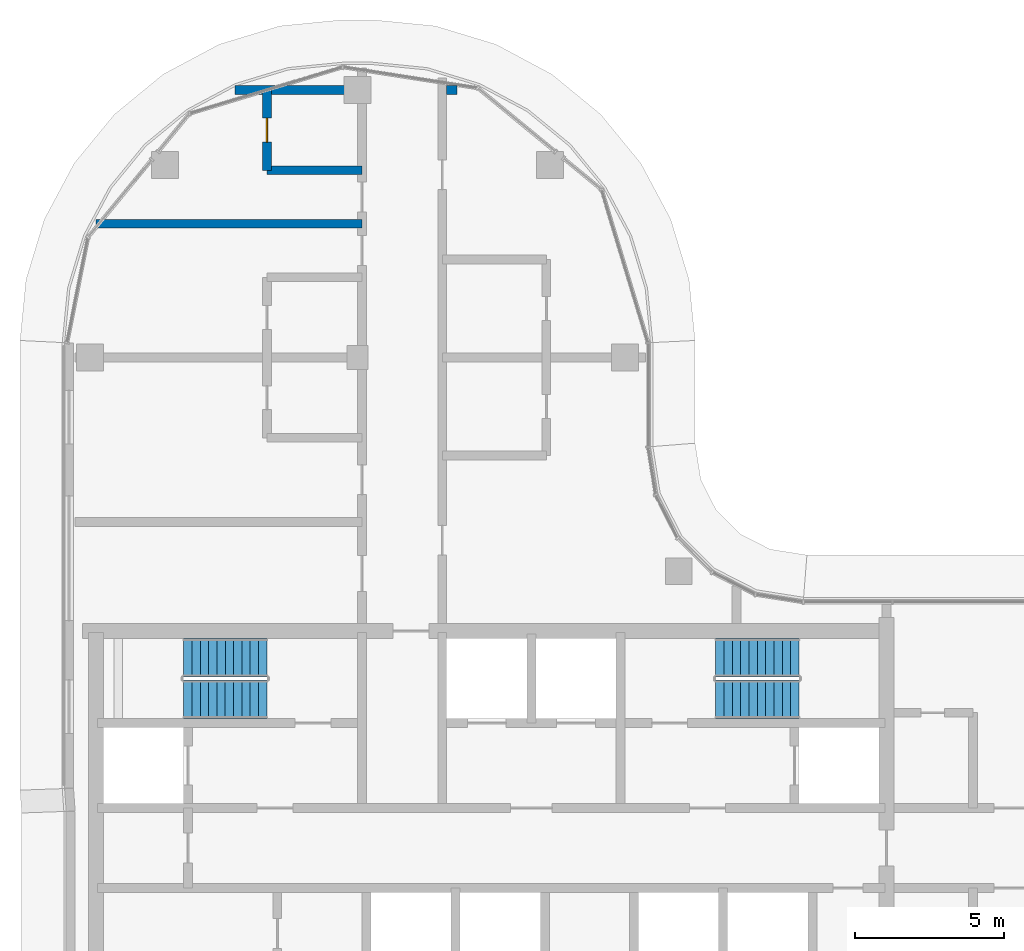
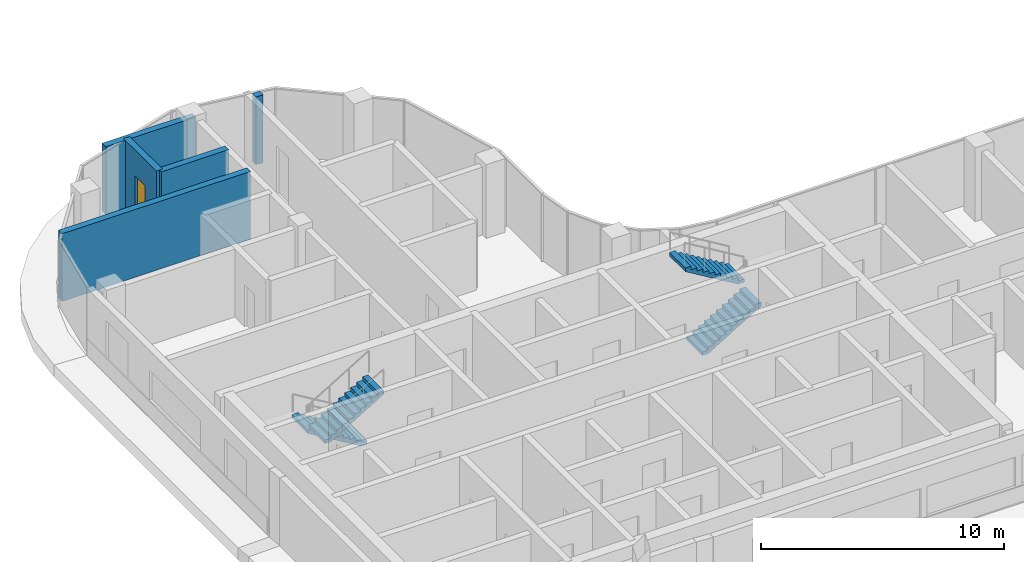
# One storey, part 16 of 22: 5 walls, 4 stair flights, 1 door, 1 opening, 2 elements without a shape of their own.
"""IFC4 building model written with IfcOpenShell, lengths in metres."""

from ifc_helpers import new_model, si_unit, direction, frame, frame_2d, origin, place, context, subcontext, project, spatial, rectangle, extrude, triangles, source, transform, mapped, material, layer, layer_set, type_object, element, fill, aggregate, save


model = new_model("IFC4")

# Units and contexts
model_context = context("Model", 3, precision=1e-05, world=origin(), true_north=direction((0.0, 1.0)))
body_context = subcontext(model_context, "Body", "Model", "MODEL_VIEW")
ifc_project = project(units=[si_unit("LENGTHUNIT", "METRE"), si_unit("AREAUNIT", "SQUARE_METRE"), si_unit("VOLUMEUNIT", "CUBIC_METRE"), si_unit("PLANEANGLEUNIT", "RADIAN"), si_unit("MASSUNIT", "GRAM", prefix="KILO")], contexts=[model_context])

# Site, building, storey
site_placement = place(None, origin())
site = spatial("IfcSite", under=ifc_project, at=site_placement, CompositionType="ELEMENT")
building_placement = place(site_placement, origin())
building = spatial("IfcBuilding", under=site, at=building_placement, Name="Ogive Portal Towers", CompositionType="ELEMENT")
storey_placement = place(building_placement, frame((0.0, 0.0, 206.89990234375)))
storey = spatial("IfcBuildingStorey", under=building, at=storey_placement, Name="L51", CompositionType="ELEMENT", Elevation=206.89990234375)

# Walls
ifc_material_1 = material(Name="Gypsum board partition on steel studs", Category="steel")
ifc_layer = layer(ifc_material_1, 0.300048828125)
ifc_layer_set = layer_set([ifc_layer], Name="WT-PART-300-EI 60")
wall_type = type_object("IfcWallType", Name="WT-PART-300-EI 60", PredefinedType="PARTITIONING", material=ifc_layer_set)
wall_1_placement = place(storey_placement, frame((31.705078125, 53.0, 0.0), z_axis=(0.0, 0.0, 1.0), x_axis=(1.0, 0.0, 0.0)))
element("IfcWall", 1, at=wall_1_placement, inside=storey, type_object=wall_type, Name="Wall L51:w019", PredefinedType="PARTITIONING", context=body_context, shape_type="SweptSolid", body=[
    extrude(rectangle(XDim=8.94482421875, YDim=0.300048828125, at=frame_2d((4.472412109375, 0.0))), origin(), (0.0, 0.0, 1.0), 3.400146484375),
])
wall_2_placement = place(storey_placement, frame((37.449951171875, 54.800048828125, 0.0), z_axis=(0.0, 0.0, 1.0), x_axis=(1.0, 0.0, 0.0)))
element("IfcWall", 2, at=wall_2_placement, inside=storey, type_object=wall_type, Name="Wall L51:w020", PredefinedType="PARTITIONING", context=body_context, shape_type="SweptSolid", body=[
    extrude(rectangle(XDim=3.199951171875, YDim=0.300048828125, at=frame_2d((1.60009765625, 0.0))), origin(), (0.0, 0.0, 1.0), 3.400146484375),
])
wall_3_placement = place(storey_placement, frame((36.375, 57.5, 0.0), z_axis=(0.0, 0.0, 1.0), x_axis=(1.0, 0.0, 0.0)))
element("IfcWall", 3, at=wall_3_placement, inside=storey, type_object=wall_type, Name="Wall L51:w021", PredefinedType="PARTITIONING", context=body_context, shape_type="SweptSolid", body=[
    extrude(rectangle(XDim=4.27490234375, YDim=0.300048828125, at=frame_2d((2.137451171875, 0.0))), origin(), (0.0, 0.0, 1.0), 3.400146484375),
])
wall_4_placement = place(storey_placement, frame((43.498046875, 57.5, 0.0), z_axis=(0.0, 0.0, 1.0), x_axis=(1.0, 0.0, 0.0)))
element("IfcWall", 4, at=wall_4_placement, inside=storey, type_object=wall_type, Name="Wall L51:w022", PredefinedType="PARTITIONING", context=body_context, shape_type="SweptSolid", body=[
    extrude(rectangle(XDim=0.346923828125, YDim=0.300048828125, at=frame_2d((0.17333984375, 0.0))), origin(), (0.0, 0.0, 1.0), 3.400146484375),
])

# Wall, opening, door
wall_5_placement = place(storey_placement, frame((37.449951171875, 54.800048828125, 0.0), z_axis=(0.0, 0.0, 1.0), x_axis=(0.0, 1.0, 0.0)))
wall_5 = element("IfcWall", 5, at=wall_5_placement, inside=storey, type_object=wall_type, Name="Wall L51:w024", PredefinedType="PARTITIONING", context=body_context, shape_type="SweptSolid", body=[
    extrude(rectangle(XDim=2.699951171875, YDim=0.300048828125, at=frame_2d((1.35009765625, 0.0))), origin(), (0.0, 0.0, 1.0), 3.400146484375),
])
opening_placement = place(wall_5_placement, frame((0.949951171875, 0.0, 0.0)))
opening = element("IfcOpeningElement", 6, at=opening_placement, cuts=wall_5, Name="Opening D23-054", PredefinedType="OPENING", context=body_context, shape_type="SweptSolid", body=[
    extrude(rectangle(XDim=0.800048828125, YDim=2.10009765625, at=frame_2d((0.39990234375, 1.050048828125))), frame((0.0, 0.16015625, 0.0), z_axis=(0.0, -1.0, 0.0), x_axis=(1.0, 0.0, 0.0)), (0.0, 0.0, 1.0), 0.320068359375),
])
ifc_material_2 = material(Name="Steel fire door", Category="steel")
door_type = type_object("IfcDoorType", Name="DT-BATH-800x2100-FD60S", OperationType="SINGLE_SWING_LEFT", PredefinedType="DOOR", material=ifc_material_2)
door_placement = place(opening_placement, origin())
door = element("IfcDoor", 7, at=door_placement, inside=storey, type_object=door_type, Name="Door D23-054", OperationType="SINGLE_SWING_LEFT", OverallHeight=2.10009765625, OverallWidth=0.800048828125, PredefinedType="DOOR", context=body_context, shape_type="SweptSolid", body=[
    extrude(rectangle(XDim=0.800048828125, YDim=2.10009765625, at=frame_2d((0.39990234375, 1.050048828125))), frame((0.0, 0.02490234375, 0.0), z_axis=(0.0, -1.0, 0.0), x_axis=(1.0, 0.0, 0.0)), (0.0, 0.0, 1.0), 0.050048828125),
])
fill(opening, door)

# Stair, stair flights
ifc_material_3 = material(Name="Concrete C40/50", Category="concrete")
stair_type = type_object("IfcStairType", Name="INT-STAIR", PredefinedType="HALF_TURN_STAIR", material=ifc_material_3)
stair_1_placement = place(storey_placement, origin())
stair_1 = element("IfcStair", 8, at=stair_1_placement, inside=storey, type_object=stair_type, Name="L51 Exit Stair ST-A1", PredefinedType="HALF_TURN_STAIR")
stair_flight_type = type_object("IfcStairFlightType", Name="INT-FLIGHT", PredefinedType="STRAIGHT", material=ifc_material_3)
shared_shape = source(origin(), body_context, "Body", "Tessellation", [
    triangles([(0.0, -0.650146484375, 0.0), (0.0, -0.376220703125, 0.0), (0.0, -0.192626953125, 0.0), (0.0, -0.081298828125, 0.0), (0.0, -0.024169921875, 0.0), (0.0, -0.003173828125, 0.0), (0.0, 0.0, 0.0), (0.0, 0.0029296875, 0.0), (0.0, 0.02392578125, 0.0), (0.0, 0.0810546875, 0.0), (0.0, 0.1923828125, 0.0), (0.0, 0.3759765625, 0.0), (0.0, 0.64990234375, 0.0), (0.0, -0.650146484375, 0.168212890625), (0.0, -0.376220703125, 0.168212890625), (0.0, -0.192626953125, 0.168212890625), (0.0, -0.081298828125, 0.168212890625), (0.0, -0.024169921875, 0.168212890625), (0.0, -0.003173828125, 0.168212890625), (0.0, 0.0, 0.168212890625), (0.0, 0.0029296875, 0.168212890625), (0.0, 0.02392578125, 0.168212890625), (0.0, 0.0810546875, 0.168212890625), (0.0, 0.1923828125, 0.168212890625), (0.0, 0.3759765625, 0.168212890625), (0.0, 0.64990234375, 0.168212890625), (0.280029296875, -0.650146484375, 0.168212890625), (0.280029296875, -0.376220703125, 0.168212890625), (0.280029296875, -0.192626953125, 0.168212890625), (0.280029296875, -0.081298828125, 0.168212890625), (0.280029296875, -0.024169921875, 0.168212890625), (0.280029296875, -0.003173828125, 0.168212890625), (0.280029296875, 0.0, 0.168212890625), (0.280029296875, 0.0029296875, 0.168212890625), (0.280029296875, 0.02392578125, 0.168212890625), (0.280029296875, 0.0810546875, 0.168212890625), (0.280029296875, 0.1923828125, 0.168212890625), (0.280029296875, 0.3759765625, 0.168212890625), (0.280029296875, 0.64990234375, 0.168212890625), (0.280029296875, -0.650146484375, 0.33642578125), (0.280029296875, -0.376220703125, 0.33642578125), (0.280029296875, -0.192626953125, 0.33642578125), (0.280029296875, -0.081298828125, 0.33642578125), (0.280029296875, -0.024169921875, 0.33642578125), (0.280029296875, -0.003173828125, 0.33642578125), (0.280029296875, 0.0, 0.33642578125), (0.280029296875, 0.0029296875, 0.33642578125), (0.280029296875, 0.02392578125, 0.33642578125), (0.280029296875, 0.0810546875, 0.33642578125), (0.280029296875, 0.1923828125, 0.33642578125), (0.280029296875, 0.3759765625, 0.33642578125), (0.280029296875, 0.64990234375, 0.33642578125), (0.56005859375, -0.650146484375, 0.33642578125), (0.56005859375, -0.376220703125, 0.33642578125), (0.56005859375, -0.192626953125, 0.33642578125), (0.56005859375, -0.081298828125, 0.33642578125), (0.56005859375, -0.024169921875, 0.33642578125), (0.56005859375, -0.003173828125, 0.33642578125), (0.56005859375, 0.0, 0.33642578125), (0.56005859375, 0.0029296875, 0.33642578125), (0.56005859375, 0.02392578125, 0.33642578125), (0.56005859375, 0.0810546875, 0.33642578125), (0.56005859375, 0.1923828125, 0.33642578125), (0.56005859375, 0.3759765625, 0.33642578125), (0.56005859375, 0.64990234375, 0.33642578125), (0.56005859375, -0.650146484375, 0.504638671875), (0.56005859375, -0.376220703125, 0.504638671875), (0.56005859375, -0.192626953125, 0.504638671875), (0.56005859375, -0.081298828125, 0.504638671875), (0.56005859375, -0.024169921875, 0.504638671875), (0.56005859375, -0.003173828125, 0.504638671875), (0.56005859375, 0.0, 0.504638671875), (0.56005859375, 0.0029296875, 0.504638671875), (0.56005859375, 0.02392578125, 0.504638671875), (0.56005859375, 0.0810546875, 0.504638671875), (0.56005859375, 0.1923828125, 0.504638671875), (0.56005859375, 0.3759765625, 0.504638671875), (0.56005859375, 0.64990234375, 0.504638671875), (0.840087890625, -0.650146484375, 0.504638671875), (0.840087890625, -0.376220703125, 0.504638671875), (0.840087890625, -0.192626953125, 0.504638671875), (0.840087890625, -0.081298828125, 0.504638671875), (0.840087890625, -0.024169921875, 0.504638671875), (0.840087890625, -0.003173828125, 0.504638671875), (0.840087890625, 0.0, 0.504638671875), (0.840087890625, 0.0029296875, 0.504638671875), (0.840087890625, 0.02392578125, 0.504638671875), (0.840087890625, 0.0810546875, 0.504638671875), (0.840087890625, 0.1923828125, 0.504638671875), (0.840087890625, 0.3759765625, 0.504638671875), (0.840087890625, 0.64990234375, 0.504638671875), (0.840087890625, -0.650146484375, 0.672607421875), (0.840087890625, -0.376220703125, 0.672607421875), (0.840087890625, -0.192626953125, 0.672607421875), (0.840087890625, -0.081298828125, 0.672607421875), (0.840087890625, -0.024169921875, 0.672607421875), (0.840087890625, -0.003173828125, 0.672607421875), (0.840087890625, 0.0, 0.672607421875), (0.840087890625, 0.0029296875, 0.672607421875), (0.840087890625, 0.02392578125, 0.672607421875), (0.840087890625, 0.0810546875, 0.672607421875), (0.840087890625, 0.1923828125, 0.672607421875), (0.840087890625, 0.3759765625, 0.672607421875), (0.840087890625, 0.64990234375, 0.672607421875), (1.1201171875, -0.650146484375, 0.672607421875), (1.1201171875, -0.376220703125, 0.672607421875), (1.1201171875, -0.192626953125, 0.672607421875), (1.1201171875, -0.081298828125, 0.672607421875), (1.1201171875, -0.024169921875, 0.672607421875), (1.1201171875, -0.003173828125, 0.672607421875), (1.1201171875, 0.0, 0.672607421875), (1.1201171875, 0.0029296875, 0.672607421875), (1.1201171875, 0.02392578125, 0.672607421875), (1.1201171875, 0.0810546875, 0.672607421875), (1.1201171875, 0.1923828125, 0.672607421875), (1.1201171875, 0.3759765625, 0.672607421875), (1.1201171875, 0.64990234375, 0.672607421875), (1.1201171875, -0.650146484375, 0.8408203125), (1.1201171875, -0.376220703125, 0.8408203125), (1.1201171875, -0.192626953125, 0.8408203125), (1.1201171875, -0.081298828125, 0.8408203125), (1.1201171875, -0.024169921875, 0.8408203125), (1.1201171875, -0.003173828125, 0.8408203125), (1.1201171875, 0.0, 0.8408203125), (1.1201171875, 0.0029296875, 0.8408203125), (1.1201171875, 0.02392578125, 0.8408203125), (1.1201171875, 0.0810546875, 0.8408203125), (1.1201171875, 0.1923828125, 0.8408203125), (1.1201171875, 0.3759765625, 0.8408203125), (1.1201171875, 0.64990234375, 0.8408203125), (1.39990234375, -0.650146484375, 0.8408203125), (1.39990234375, -0.376220703125, 0.8408203125), (1.39990234375, -0.192626953125, 0.8408203125), (1.39990234375, -0.081298828125, 0.8408203125), (1.39990234375, -0.024169921875, 0.8408203125), (1.39990234375, -0.003173828125, 0.8408203125), (1.39990234375, 0.0, 0.8408203125), (1.39990234375, 0.0029296875, 0.8408203125), (1.39990234375, 0.02392578125, 0.8408203125), (1.39990234375, 0.0810546875, 0.8408203125), (1.39990234375, 0.1923828125, 0.8408203125), (1.39990234375, 0.3759765625, 0.8408203125), (1.39990234375, 0.64990234375, 0.8408203125), (1.39990234375, -0.650146484375, 1.009033203125), (1.39990234375, -0.376220703125, 1.009033203125), (1.39990234375, -0.192626953125, 1.009033203125), (1.39990234375, -0.081298828125, 1.009033203125), (1.39990234375, -0.024169921875, 1.009033203125), (1.39990234375, -0.003173828125, 1.009033203125), (1.39990234375, 0.0, 1.009033203125), (1.39990234375, 0.0029296875, 1.009033203125), (1.39990234375, 0.02392578125, 1.009033203125), (1.39990234375, 0.0810546875, 1.009033203125), (1.39990234375, 0.1923828125, 1.009033203125), (1.39990234375, 0.3759765625, 1.009033203125), (1.39990234375, 0.64990234375, 1.009033203125), (1.679931640625, -0.650146484375, 1.009033203125), (1.679931640625, -0.376220703125, 1.009033203125), (1.679931640625, -0.192626953125, 1.009033203125), (1.679931640625, -0.081298828125, 1.009033203125), (1.679931640625, -0.024169921875, 1.009033203125), (1.679931640625, -0.003173828125, 1.009033203125), (1.679931640625, 0.0, 1.009033203125), (1.679931640625, 0.0029296875, 1.009033203125), (1.679931640625, 0.02392578125, 1.009033203125), (1.679931640625, 0.0810546875, 1.009033203125), (1.679931640625, 0.1923828125, 1.009033203125), (1.679931640625, 0.3759765625, 1.009033203125), (1.679931640625, 0.64990234375, 1.009033203125), (1.679931640625, -0.650146484375, 1.17724609375), (1.679931640625, -0.376220703125, 1.17724609375), (1.679931640625, -0.192626953125, 1.17724609375), (1.679931640625, -0.081298828125, 1.17724609375), (1.679931640625, -0.024169921875, 1.17724609375), (1.679931640625, -0.003173828125, 1.17724609375), (1.679931640625, 0.0, 1.17724609375), (1.679931640625, 0.0029296875, 1.17724609375), (1.679931640625, 0.02392578125, 1.17724609375), (1.679931640625, 0.0810546875, 1.17724609375), (1.679931640625, 0.1923828125, 1.17724609375), (1.679931640625, 0.3759765625, 1.17724609375), (1.679931640625, 0.64990234375, 1.17724609375), (1.9599609375, -0.650146484375, 1.17724609375), (1.9599609375, -0.376220703125, 1.17724609375), (1.9599609375, -0.192626953125, 1.17724609375), (1.9599609375, -0.081298828125, 1.17724609375), (1.9599609375, -0.024169921875, 1.17724609375), (1.9599609375, -0.003173828125, 1.17724609375), (1.9599609375, 0.0, 1.17724609375), (1.9599609375, 0.0029296875, 1.17724609375), (1.9599609375, 0.02392578125, 1.17724609375), (1.9599609375, 0.0810546875, 1.17724609375), (1.9599609375, 0.1923828125, 1.17724609375), (1.9599609375, 0.3759765625, 1.17724609375), (1.9599609375, 0.64990234375, 1.17724609375), (1.9599609375, -0.650146484375, 1.345458984375), (1.9599609375, -0.376220703125, 1.345458984375), (1.9599609375, -0.192626953125, 1.345458984375), (1.9599609375, -0.081298828125, 1.345458984375), (1.9599609375, -0.024169921875, 1.345458984375), (1.9599609375, -0.003173828125, 1.345458984375), (1.9599609375, 0.0, 1.345458984375), (1.9599609375, 0.0029296875, 1.345458984375), (1.9599609375, 0.02392578125, 1.345458984375), (1.9599609375, 0.0810546875, 1.345458984375), (1.9599609375, 0.1923828125, 1.345458984375), (1.9599609375, 0.3759765625, 1.345458984375), (1.9599609375, 0.64990234375, 1.345458984375), (2.239990234375, -0.650146484375, 1.345458984375), (2.239990234375, -0.376220703125, 1.345458984375), (2.239990234375, -0.192626953125, 1.345458984375), (2.239990234375, -0.081298828125, 1.345458984375), (2.239990234375, -0.024169921875, 1.345458984375), (2.239990234375, -0.003173828125, 1.345458984375), (2.239990234375, 0.0, 1.345458984375), (2.239990234375, 0.0029296875, 1.345458984375), (2.239990234375, 0.02392578125, 1.345458984375), (2.239990234375, 0.0810546875, 1.345458984375), (2.239990234375, 0.1923828125, 1.345458984375), (2.239990234375, 0.3759765625, 1.345458984375), (2.239990234375, 0.64990234375, 1.345458984375), (2.239990234375, -0.650146484375, 1.513671875), (2.239990234375, -0.376220703125, 1.513671875), (2.239990234375, -0.192626953125, 1.513671875), (2.239990234375, -0.081298828125, 1.513671875), (2.239990234375, -0.024169921875, 1.513671875), (2.239990234375, -0.003173828125, 1.513671875), (2.239990234375, 0.0, 1.513671875), (2.239990234375, 0.0029296875, 1.513671875), (2.239990234375, 0.02392578125, 1.513671875), (2.239990234375, 0.0810546875, 1.513671875), (2.239990234375, 0.1923828125, 1.513671875), (2.239990234375, 0.3759765625, 1.513671875), (2.239990234375, 0.64990234375, 1.513671875), (2.52001953125, -0.650146484375, 1.513671875), (2.52001953125, -0.376220703125, 1.513671875), (2.52001953125, -0.192626953125, 1.513671875), (2.52001953125, -0.081298828125, 1.513671875), (2.52001953125, -0.024169921875, 1.513671875), (2.52001953125, -0.003173828125, 1.513671875), (2.52001953125, 0.0, 1.513671875), (2.52001953125, 0.0029296875, 1.513671875), (2.52001953125, 0.02392578125, 1.513671875), (2.52001953125, 0.0810546875, 1.513671875), (2.52001953125, 0.1923828125, 1.513671875), (2.52001953125, 0.3759765625, 1.513671875), (2.52001953125, 0.64990234375, 1.513671875), (2.52001953125, -0.650146484375, 1.681884765625), (2.52001953125, -0.376220703125, 1.681884765625), (2.52001953125, -0.192626953125, 1.681884765625), (2.52001953125, -0.081298828125, 1.681884765625), (2.52001953125, -0.024169921875, 1.681884765625), (2.52001953125, -0.003173828125, 1.681884765625), (2.52001953125, 0.0, 1.681884765625), (2.52001953125, 0.0029296875, 1.681884765625), (2.52001953125, 0.02392578125, 1.681884765625), (2.52001953125, 0.0810546875, 1.681884765625), (2.52001953125, 0.1923828125, 1.681884765625), (2.52001953125, 0.3759765625, 1.681884765625), (2.52001953125, 0.64990234375, 1.681884765625), (2.800048828125, -0.650146484375, 1.681884765625), (2.800048828125, -0.376220703125, 1.681884765625), (2.800048828125, -0.192626953125, 1.681884765625), (2.800048828125, -0.081298828125, 1.681884765625), (2.800048828125, -0.024169921875, 1.681884765625), (2.800048828125, -0.003173828125, 1.681884765625), (2.800048828125, 0.0, 1.681884765625), (2.800048828125, 0.0029296875, 1.681884765625), (2.800048828125, 0.02392578125, 1.681884765625), (2.800048828125, 0.0810546875, 1.681884765625), (2.800048828125, 0.1923828125, 1.681884765625), (2.800048828125, 0.3759765625, 1.681884765625), (2.800048828125, 0.64990234375, 1.681884765625), (2.800048828125, -0.650146484375, 1.5068359375), (2.800048828125, -0.376220703125, 1.5068359375), (2.800048828125, -0.192626953125, 1.5068359375), (2.800048828125, -0.081298828125, 1.5068359375), (2.800048828125, -0.024169921875, 1.5068359375), (2.800048828125, -0.003173828125, 1.5068359375), (2.800048828125, 0.0, 1.5068359375), (2.800048828125, 0.0029296875, 1.5068359375), (2.800048828125, 0.02392578125, 1.5068359375), (2.800048828125, 0.0810546875, 1.5068359375), (2.800048828125, 0.1923828125, 1.5068359375), (2.800048828125, 0.3759765625, 1.5068359375), (2.800048828125, 0.64990234375, 1.5068359375), (0.291015625, -0.650146484375, 0.0), (0.291015625, -0.376220703125, 0.0), (0.291015625, -0.192626953125, 0.0), (0.291015625, -0.081298828125, 0.0), (0.291015625, -0.024169921875, 0.0), (0.291015625, -0.003173828125, 0.0), (0.291015625, 0.0, 0.0), (0.291015625, 0.0029296875, 0.0), (0.291015625, 0.02392578125, 0.0), (0.291015625, 0.0810546875, 0.0), (0.291015625, 0.1923828125, 0.0), (0.291015625, 0.3759765625, 0.0), (0.291015625, 0.64990234375, 0.0)], [[1, 14, 15], [1, 15, 2], [2, 15, 16], [2, 16, 3], [3, 16, 17], [3, 17, 4], [4, 17, 18], [4, 18, 5], [5, 18, 19], [5, 19, 6], [6, 19, 20], [6, 20, 7], [7, 20, 21], [7, 21, 8], [8, 21, 22], [8, 22, 9], [9, 22, 23], [9, 23, 10], [10, 23, 24], [10, 24, 11], [11, 24, 25], [11, 25, 12], [12, 25, 26], [12, 26, 13], [14, 27, 28], [14, 28, 15], [15, 28, 29], [15, 29, 16], [16, 29, 30], [16, 30, 17], [17, 30, 31], [17, 31, 18], [18, 31, 32], [18, 32, 19], [19, 32, 33], [19, 33, 20], [20, 33, 34], [20, 34, 21], [21, 34, 35], [21, 35, 22], [22, 35, 36], [22, 36, 23], [23, 36, 37], [23, 37, 24], [24, 37, 38], [24, 38, 25], [25, 38, 39], [25, 39, 26], [27, 40, 41], [27, 41, 28], [28, 41, 42], [28, 42, 29], [29, 42, 43], [29, 43, 30], [30, 43, 44], [30, 44, 31], [31, 44, 45], [31, 45, 32], [32, 45, 46], [32, 46, 33], [33, 46, 47], [33, 47, 34], [34, 47, 48], [34, 48, 35], [35, 48, 49], [35, 49, 36], [36, 49, 50], [36, 50, 37], [37, 50, 51], [37, 51, 38], [38, 51, 52], [38, 52, 39], [40, 53, 54], [40, 54, 41], [41, 54, 55], [41, 55, 42], [42, 55, 56], [42, 56, 43], [43, 56, 57], [43, 57, 44], [44, 57, 58], [44, 58, 45], [45, 58, 59], [45, 59, 46], [46, 59, 60], [46, 60, 47], [47, 60, 61], [47, 61, 48], [48, 61, 62], [48, 62, 49], [49, 62, 63], [49, 63, 50], [50, 63, 64], [50, 64, 51], [51, 64, 65], [51, 65, 52], [53, 66, 67], [53, 67, 54], [54, 67, 68], [54, 68, 55], [55, 68, 69], [55, 69, 56], [56, 69, 70], [56, 70, 57], [57, 70, 71], [57, 71, 58], [58, 71, 72], [58, 72, 59], [59, 72, 73], [59, 73, 60], [60, 73, 74], [60, 74, 61], [61, 74, 75], [61, 75, 62], [62, 75, 76], [62, 76, 63], [63, 76, 77], [63, 77, 64], [64, 77, 78], [64, 78, 65], [66, 79, 80], [66, 80, 67], [67, 80, 81], [67, 81, 68], [68, 81, 82], [68, 82, 69], [69, 82, 83], [69, 83, 70], [70, 83, 84], [70, 84, 71], [71, 84, 85], [71, 85, 72], [72, 85, 86], [72, 86, 73], [73, 86, 87], [73, 87, 74], [74, 87, 88], [74, 88, 75], [75, 88, 89], [75, 89, 76], [76, 89, 90], [76, 90, 77], [77, 90, 91], [77, 91, 78], [79, 92, 93], [79, 93, 80], [80, 93, 94], [80, 94, 81], [81, 94, 95], [81, 95, 82], [82, 95, 96], [82, 96, 83], [83, 96, 97], [83, 97, 84], [84, 97, 98], [84, 98, 85], [85, 98, 99], [85, 99, 86], [86, 99, 100], [86, 100, 87], [87, 100, 101], [87, 101, 88], [88, 101, 102], [88, 102, 89], [89, 102, 103], [89, 103, 90], [90, 103, 104], [90, 104, 91], [92, 105, 106], [92, 106, 93], [93, 106, 107], [93, 107, 94], [94, 107, 108], [94, 108, 95], [95, 108, 109], [95, 109, 96], [96, 109, 110], [96, 110, 97], [97, 110, 111], [97, 111, 98], [98, 111, 112], [98, 112, 99], [99, 112, 113], [99, 113, 100], [100, 113, 114], [100, 114, 101], [101, 114, 115], [101, 115, 102], [102, 115, 116], [102, 116, 103], [103, 116, 117], [103, 117, 104], [105, 118, 119], [105, 119, 106], [106, 119, 120], [106, 120, 107], [107, 120, 121], [107, 121, 108], [108, 121, 122], [108, 122, 109], [109, 122, 123], [109, 123, 110], [110, 123, 124], [110, 124, 111], [111, 124, 125], [111, 125, 112], [112, 125, 126], [112, 126, 113], [113, 126, 127], [113, 127, 114], [114, 127, 128], [114, 128, 115], [115, 128, 129], [115, 129, 116], [116, 129, 130], [116, 130, 117], [118, 131, 132], [118, 132, 119], [119, 132, 133], [119, 133, 120], [120, 133, 134], [120, 134, 121], [121, 134, 135], [121, 135, 122], [122, 135, 136], [122, 136, 123], [123, 136, 137], [123, 137, 124], [124, 137, 138], [124, 138, 125], [125, 138, 139], [125, 139, 126], [126, 139, 140], [126, 140, 127], [127, 140, 141], [127, 141, 128], [128, 141, 142], [128, 142, 129], [129, 142, 143], [129, 143, 130], [131, 144, 145], [131, 145, 132], [132, 145, 146], [132, 146, 133], [133, 146, 147], [133, 147, 134], [134, 147, 148], [134, 148, 135], [135, 148, 149], [135, 149, 136], [136, 149, 150], [136, 150, 137], [137, 150, 151], [137, 151, 138], [138, 151, 152], [138, 152, 139], [139, 152, 153], [139, 153, 140], [140, 153, 154], [140, 154, 141], [141, 154, 155], [141, 155, 142], [142, 155, 156], [142, 156, 143], [144, 157, 158], [144, 158, 145], [145, 158, 159], [145, 159, 146], [146, 159, 160], [146, 160, 147], [147, 160, 161], [147, 161, 148], [148, 161, 162], [148, 162, 149], [149, 162, 163], [149, 163, 150], [150, 163, 164], [150, 164, 151], [151, 164, 165], [151, 165, 152], [152, 165, 166], [152, 166, 153], [153, 166, 167], [153, 167, 154], [154, 167, 168], [154, 168, 155], [155, 168, 169], [155, 169, 156], [157, 170, 171], [157, 171, 158], [158, 171, 172], [158, 172, 159], [159, 172, 173], [159, 173, 160], [160, 173, 174], [160, 174, 161], [161, 174, 175], [161, 175, 162], [162, 175, 176], [162, 176, 163], [163, 176, 177], [163, 177, 164], [164, 177, 178], [164, 178, 165], [165, 178, 179], [165, 179, 166], [166, 179, 180], [166, 180, 167], [167, 180, 181], [167, 181, 168], [168, 181, 182], [168, 182, 169], [170, 183, 184], [170, 184, 171], [171, 184, 185], [171, 185, 172], [172, 185, 186], [172, 186, 173], [173, 186, 187], [173, 187, 174], [174, 187, 188], [174, 188, 175], [175, 188, 189], [175, 189, 176], [176, 189, 190], [176, 190, 177], [177, 190, 191], [177, 191, 178], [178, 191, 192], [178, 192, 179], [179, 192, 193], [179, 193, 180], [180, 193, 194], [180, 194, 181], [181, 194, 195], [181, 195, 182], [183, 196, 197], [183, 197, 184], [184, 197, 198], [184, 198, 185], [185, 198, 199], [185, 199, 186], [186, 199, 200], [186, 200, 187], [187, 200, 201], [187, 201, 188], [188, 201, 202], [188, 202, 189], [189, 202, 203], [189, 203, 190], [190, 203, 204], [190, 204, 191], [191, 204, 205], [191, 205, 192], [192, 205, 206], [192, 206, 193], [193, 206, 207], [193, 207, 194], [194, 207, 208], [194, 208, 195], [196, 209, 210], [196, 210, 197], [197, 210, 211], [197, 211, 198], [198, 211, 212], [198, 212, 199], [199, 212, 213], [199, 213, 200], [200, 213, 214], [200, 214, 201], [201, 214, 215], [201, 215, 202], [202, 215, 216], [202, 216, 203], [203, 216, 217], [203, 217, 204], [204, 217, 218], [204, 218, 205], [205, 218, 219], [205, 219, 206], [206, 219, 220], [206, 220, 207], [207, 220, 221], [207, 221, 208], [209, 222, 223], [209, 223, 210], [210, 223, 224], [210, 224, 211], [211, 224, 225], [211, 225, 212], [212, 225, 226], [212, 226, 213], [213, 226, 227], [213, 227, 214], [214, 227, 228], [214, 228, 215], [215, 228, 229], [215, 229, 216], [216, 229, 230], [216, 230, 217], [217, 230, 231], [217, 231, 218], [218, 231, 232], [218, 232, 219], [219, 232, 233], [219, 233, 220], [220, 233, 234], [220, 234, 221], [222, 235, 236], [222, 236, 223], [223, 236, 237], [223, 237, 224], [224, 237, 238], [224, 238, 225], [225, 238, 239], [225, 239, 226], [226, 239, 240], [226, 240, 227], [227, 240, 241], [227, 241, 228], [228, 241, 242], [228, 242, 229], [229, 242, 243], [229, 243, 230], [230, 243, 244], [230, 244, 231], [231, 244, 245], [231, 245, 232], [232, 245, 246], [232, 246, 233], [233, 246, 247], [233, 247, 234], [235, 248, 249], [235, 249, 236], [236, 249, 250], [236, 250, 237], [237, 250, 251], [237, 251, 238], [238, 251, 252], [238, 252, 239], [239, 252, 253], [239, 253, 240], [240, 253, 254], [240, 254, 241], [241, 254, 255], [241, 255, 242], [242, 255, 256], [242, 256, 243], [243, 256, 257], [243, 257, 244], [244, 257, 258], [244, 258, 245], [245, 258, 259], [245, 259, 246], [246, 259, 260], [246, 260, 247], [248, 261, 262], [248, 262, 249], [249, 262, 263], [249, 263, 250], [250, 263, 264], [250, 264, 251], [251, 264, 265], [251, 265, 252], [252, 265, 266], [252, 266, 253], [253, 266, 267], [253, 267, 254], [254, 267, 268], [254, 268, 255], [255, 268, 269], [255, 269, 256], [256, 269, 270], [256, 270, 257], [257, 270, 271], [257, 271, 258], [258, 271, 272], [258, 272, 259], [259, 272, 273], [259, 273, 260], [261, 274, 275], [261, 275, 262], [262, 275, 276], [262, 276, 263], [263, 276, 277], [263, 277, 264], [264, 277, 278], [264, 278, 265], [265, 278, 279], [265, 279, 266], [266, 279, 280], [266, 280, 267], [267, 280, 281], [267, 281, 268], [268, 281, 282], [268, 282, 269], [269, 282, 283], [269, 283, 270], [270, 283, 284], [270, 284, 271], [271, 284, 285], [271, 285, 272], [272, 285, 286], [272, 286, 273], [274, 287, 288], [274, 288, 275], [275, 288, 289], [275, 289, 276], [276, 289, 290], [276, 290, 277], [277, 290, 291], [277, 291, 278], [278, 291, 292], [278, 292, 279], [279, 292, 293], [279, 293, 280], [280, 293, 294], [280, 294, 281], [281, 294, 295], [281, 295, 282], [282, 295, 296], [282, 296, 283], [283, 296, 297], [283, 297, 284], [284, 297, 298], [284, 298, 285], [285, 298, 299], [285, 299, 286], [287, 1, 2], [287, 2, 288], [288, 2, 3], [288, 3, 289], [289, 3, 4], [289, 4, 290], [290, 4, 5], [290, 5, 291], [291, 5, 6], [291, 6, 292], [292, 6, 7], [292, 7, 293], [293, 7, 8], [293, 8, 294], [294, 8, 9], [294, 9, 295], [295, 9, 10], [295, 10, 296], [296, 10, 11], [296, 11, 297], [297, 11, 12], [297, 12, 298], [298, 12, 13], [298, 13, 299], [1, 287, 274], [13, 286, 299], [274, 261, 248], [286, 260, 273], [274, 248, 235], [286, 247, 260], [274, 235, 222], [286, 234, 247], [274, 222, 209], [286, 221, 234], [209, 196, 183], [221, 195, 208], [274, 209, 183], [286, 195, 221], [183, 170, 157], [195, 169, 182], [274, 183, 157], [286, 169, 195], [157, 144, 131], [169, 143, 156], [274, 157, 131], [286, 143, 169], [131, 118, 105], [143, 117, 130], [274, 131, 105], [286, 117, 143], [1, 274, 105], [13, 117, 286], [105, 92, 79], [117, 91, 104], [79, 66, 53], [91, 65, 78], [105, 79, 53], [117, 65, 91], [53, 40, 27], [65, 39, 52], [105, 53, 27], [117, 39, 65], [1, 105, 27], [13, 39, 117], [27, 14, 1], [39, 13, 26]], closed=True),
])
stair_flight_1_placement = place(storey_placement, frame((37.449951171875, 38.39990234375, 0.0), z_axis=(0.0, 0.0, 1.0), x_axis=(-1.0, 0.0, 0.0)))
stair_flight_1 = element("IfcStairFlight", 9, at=stair_flight_1_placement, type_object=stair_flight_type, Name="ST-A1 flight 1", NumberOfRisers=11, NumberOfTreads=10, PredefinedType="STRAIGHT", RiserHeight=0.168181818, TreadLength=0.28, context=body_context, shape_type="MappedRepresentation", body=[
    mapped(shared_shape, transform((0.0, 0.0, 0.0), scale=1.0)),
])
stair_flight_2_placement = place(storey_placement, frame((34.64990234375, 37.0, 1.85009765625), z_axis=(0.0, 0.0, 1.0), x_axis=(1.0, 0.0, 0.0)))
stair_flight_2 = element("IfcStairFlight", 10, at=stair_flight_2_placement, type_object=stair_flight_type, Name="ST-A1 flight 2", NumberOfRisers=11, NumberOfTreads=10, PredefinedType="STRAIGHT", RiserHeight=0.168181818, TreadLength=0.28, context=body_context, shape_type="MappedRepresentation", body=[
    mapped(shared_shape, transform((0.0, 0.0, 0.0), scale=1.0)),
])
aggregate(stair_1, [stair_flight_1, stair_flight_2])

stair_2_placement = place(storey_placement, origin())
stair_2 = element("IfcStair", 11, at=stair_2_placement, inside=storey, type_object=stair_type, Name="L51 Exit Stair ST-A2", PredefinedType="HALF_TURN_STAIR")
stair_flight_3_placement = place(storey_placement, frame((52.550048828125, 37.0, 0.0), z_axis=(0.0, 0.0, 1.0), x_axis=(1.0, 0.0, 0.0)))
stair_flight_3 = element("IfcStairFlight", 12, at=stair_flight_3_placement, type_object=stair_flight_type, Name="ST-A2 flight 1", NumberOfRisers=11, NumberOfTreads=10, PredefinedType="STRAIGHT", RiserHeight=0.168181818, TreadLength=0.28, context=body_context, shape_type="MappedRepresentation", body=[
    mapped(shared_shape, transform((0.0, 0.0, 0.0), scale=1.0)),
])
stair_flight_4_placement = place(storey_placement, frame((55.35009765625, 38.39990234375, 1.85009765625), z_axis=(0.0, 0.0, 1.0), x_axis=(-1.0, 0.0, 0.0)))
stair_flight_4 = element("IfcStairFlight", 13, at=stair_flight_4_placement, type_object=stair_flight_type, Name="ST-A2 flight 2", NumberOfRisers=11, NumberOfTreads=10, PredefinedType="STRAIGHT", RiserHeight=0.168181818, TreadLength=0.28, context=body_context, shape_type="MappedRepresentation", body=[
    mapped(shared_shape, transform((0.0, 0.0, 0.0), scale=1.0)),
])
aggregate(stair_2, [stair_flight_3, stair_flight_4])

save(model, "model.ifc")
